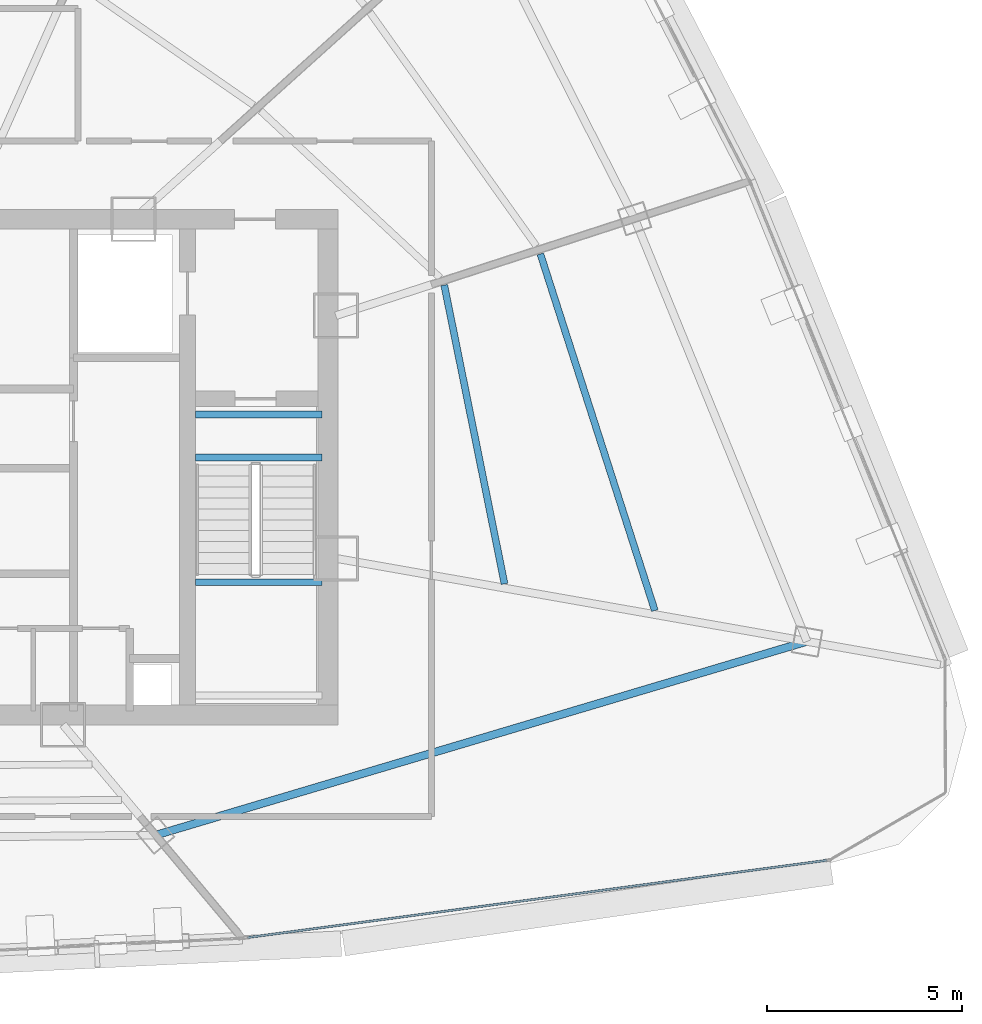
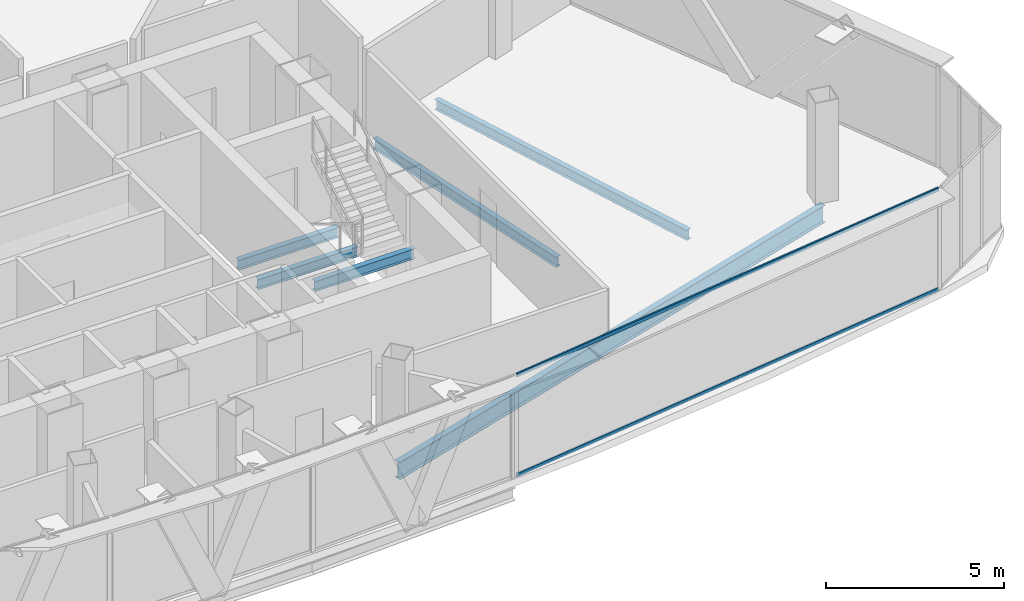
# One storey, part 12 of 27: 6 beams, 2 members, 1 element without a shape of its own.
"""IFC4 building model written with IfcOpenShell, lengths in metres."""

from ifc_helpers import new_model, si_unit, direction, frame, origin, origin_2d, place, context, subcontext, project, spatial, hollow_rectangle, i_section, extrude, source, transform, mapped, material, layer, layer_set, material_profile, profile_set, type_object, element, aggregate, save


model = new_model("IFC4")

# Units and contexts
model_context = context("Model", 3, precision=1e-05, world=origin(), true_north=direction((0.0, 1.0)))
body_context = subcontext(model_context, "Body", "Model", "MODEL_VIEW")
ifc_project = project(units=[si_unit("LENGTHUNIT", "METRE"), si_unit("AREAUNIT", "SQUARE_METRE"), si_unit("VOLUMEUNIT", "CUBIC_METRE"), si_unit("PLANEANGLEUNIT", "RADIAN"), si_unit("MASSUNIT", "GRAM", prefix="KILO"), si_unit("THERMODYNAMICTEMPERATUREUNIT", "KELVIN"), si_unit("POWERUNIT", "WATT")], contexts=[model_context])

# Site, building, storey
site_placement = place(None, origin())
site = spatial("IfcSite", under=ifc_project, at=site_placement, CompositionType="ELEMENT")
building_placement = place(site_placement, origin())
building = spatial("IfcBuilding", under=site, at=building_placement, Name="Yunzhuo Pagoda Commons", CompositionType="ELEMENT")
storey_placement = place(building_placement, frame((0.0, 0.0, 344.260009765625)))
storey = spatial("IfcBuildingStorey", under=building, at=storey_placement, Name="L86", CompositionType="ELEMENT", Elevation=344.260009765625)

# Beams
ifc_material_1 = material(Name="Structural steel Q355B", Category="steel")
ifc_material_profile_1 = material_profile(ifc_material_1, i_section(OverallWidth=0.175048828125, OverallDepth=0.35009765625, WebThickness=0.007080078125, FlangeThickness=0.010986328125, at=origin_2d()), Name="Structural steel Q355B")
ifc_profile_set_1 = profile_set([ifc_material_profile_1], Name="Structural steel Q355B")
beam_type_1 = type_object("IfcBeamType", Name="B-JS2 Joist HN 350x175x7x11", PredefinedType="JOIST", material=ifc_profile_set_1)
shared_shape_1 = source(origin(), body_context, "Body", "SweptSolid", [
    extrude(i_section(OverallWidth=0.175048828125, OverallDepth=0.35009765625, WebThickness=0.007080078125, FlangeThickness=0.010986328125, at=origin_2d()), origin(), (0.0, 0.0, 1.0), 3.25),
])
for number, where, z_axis, x_axis, name in (
    (1, (56.800048828125, 30.89990234375, 1.5), (1.0, 0.0, 0.0), (0.0, 1.0, 0.0), "L86 ST2 landing support beam 92B"),
    (2, (56.800048828125, 34.10009765625, -0.375), (1.0, 0.0, 0.0), (0.0, 1.0, 0.0), "L86 ST2 landing support beam 190A"),
    (3, (56.800048828125, 35.199951171875, -0.375), (1.0, 0.0, 0.0), (0.0, 1.0, 0.0), "L86 ST2 landing support beam 190B"),
):
    element("IfcBeam", number, at=place(storey_placement, frame(where, z_axis=z_axis, x_axis=x_axis)), inside=storey, type_object=beam_type_1, Name=name, PredefinedType="JOIST", context=body_context, shape_type="MappedRepresentation", body=[
        mapped(shared_shape_1, transform((0.0, 0.0, 0.0), scale=1.0)),
    ])
ifc_material_profile_2 = material_profile(ifc_material_1, i_section(OverallWidth=0.199951171875, OverallDepth=0.60009765625, WebThickness=0.010986328125, FlangeThickness=0.01708984375, at=origin_2d()), Name="Structural steel Q355B")
ifc_profile_set_2 = profile_set([ifc_material_profile_2], Name="Structural steel Q355B")
beam_type_2 = type_object("IfcBeamType", Name="B-RG3 Beam HN 600x200x11x17", PredefinedType="BEAM", material=ifc_profile_set_2)
shared_shape_2 = source(origin(), body_context, "Body", "SweptSolid", [
    extrude(i_section(OverallWidth=0.199951171875, OverallDepth=0.60009765625, WebThickness=0.010986328125, FlangeThickness=0.01708984375, at=origin_2d()), origin(), (0.0, 0.0, 1.0), 17.407470703125),
])
beam_1_placement = place(storey_placement, frame((55.785400390625, 24.421630859375, -0.56005859375), z_axis=(0.958484984609, 0.285143006717, 0.0), x_axis=(-0.285143006717, 0.958484984609, 0.0)))
element("IfcBeam", 4, at=beam_1_placement, inside=storey, type_object=beam_type_2, Name="L86 column-ring beam 4", PredefinedType="BEAM", context=body_context, shape_type="MappedRepresentation", body=[
    mapped(shared_shape_2, transform((0.0, 0.0, 0.0), scale=1.0)),
])
shared_shape_3 = source(origin(), body_context, "Body", "SweptSolid", [
    extrude(i_section(OverallWidth=0.175048828125, OverallDepth=0.35009765625, WebThickness=0.007080078125, FlangeThickness=0.010986328125, at=origin_2d()), origin(), (0.0, 0.0, 1.0), 7.8056640625),
])
beam_2_placement = place(storey_placement, frame((64.722412109375, 30.860107421875, -0.43505859375), z_axis=(-0.197830082137, 0.980236327934, 0.0), x_axis=(-0.980236327934, -0.197830082137, 0.0)))
element("IfcBeam", 5, at=beam_2_placement, inside=storey, type_object=beam_type_1, Name="L86 composite ring joist 1.5", PredefinedType="JOIST", context=body_context, shape_type="MappedRepresentation", body=[
    mapped(shared_shape_3, transform((0.0, 0.0, 0.0), scale=1.0)),
])
shared_shape_4 = source(origin(), body_context, "Body", "SweptSolid", [
    extrude(i_section(OverallWidth=0.175048828125, OverallDepth=0.35009765625, WebThickness=0.007080078125, FlangeThickness=0.010986328125, at=origin_2d()), origin(), (0.0, 0.0, 1.0), 9.593994140625),
])
beam_3_placement = place(storey_placement, frame((68.572509765625, 30.17578125, -0.43505859375), z_axis=(-0.305719218499, 0.952121714614, 0.0), x_axis=(-0.952121714614, -0.305719218499, 0.0)))
element("IfcBeam", 6, at=beam_3_placement, inside=storey, type_object=beam_type_1, Name="L86 composite ring joist 2.5", PredefinedType="JOIST", context=body_context, shape_type="MappedRepresentation", body=[
    mapped(shared_shape_4, transform((0.0, 0.0, 0.0), scale=1.0)),
])

# Curtain wall, members
ifc_material_2 = material(Name="Anodized aluminium 6063-T6", Category="aluminium")
ifc_layer = layer(ifc_material_2, 0.139892578125)
ifc_layer_set = layer_set([ifc_layer], Name="Anodized aluminium 6063-T6")
curtain_wall_type = type_object("IfcCurtainWallType", Name="CW-HI High-Zone Ribbon Curtain Wall", PredefinedType="NOTDEFINED", material=ifc_layer_set)
curtain_wall_placement = place(storey_placement, origin())
curtain_wall = element("IfcCurtainWall", 7, at=curtain_wall_placement, inside=storey, type_object=curtain_wall_type, Name="L86 curtain wall CW-L86-F1B5", PredefinedType="NOTDEFINED")
ifc_material_profile_3 = material_profile(ifc_material_2, hollow_rectangle(XDim=0.054931640625, YDim=0.1201171875, WallThickness=0.00341796875, at=origin_2d()), Name="Anodized aluminium 6063-T6")
ifc_profile_set_3 = profile_set([ifc_material_profile_3], Name="Anodized aluminium 6063-T6")
member_type = type_object("IfcMemberType", Name="CW-HI-T Transom RHS 120x55x3.5", PredefinedType="USERDEFINED", material=ifc_profile_set_3)
shared_shape_5 = source(origin(), body_context, "Body", "SweptSolid", [
    extrude(hollow_rectangle(XDim=0.054931640625, YDim=0.1201171875, WallThickness=0.00341796875, at=origin_2d()), origin(), (0.0, 0.0, 1.0), 14.9833984375),
])
member_1_placement = place(storey_placement, frame((58.134765625, 21.79931640625, 0.027587890625), z_axis=(0.9912411303, 0.132064460024, 0.0), x_axis=(-0.132064460024, 0.9912411303, 0.0)))
member_1 = element("IfcMember", 8, at=member_1_placement, type_object=member_type, Name="CW transom 1.1", ObjectType="TRANSOM", PredefinedType="USERDEFINED", context=body_context, shape_type="MappedRepresentation", body=[
    mapped(shared_shape_5, transform((0.0, 0.0, 0.0), scale=1.0)),
])
member_2_placement = place(storey_placement, frame((58.134765625, 21.79931640625, 3.46240234375), z_axis=(0.9912411303, 0.132064460024, 0.0), x_axis=(-0.132064460024, 0.9912411303, 0.0)))
member_2 = element("IfcMember", 9, at=member_2_placement, type_object=member_type, Name="CW transom 1.2", ObjectType="TRANSOM", PredefinedType="USERDEFINED", context=body_context, shape_type="MappedRepresentation", body=[
    mapped(shared_shape_5, transform((0.0, 0.0, 0.0), scale=1.0)),
])
aggregate(curtain_wall, [member_1, member_2])

save(model, "model.ifc")
